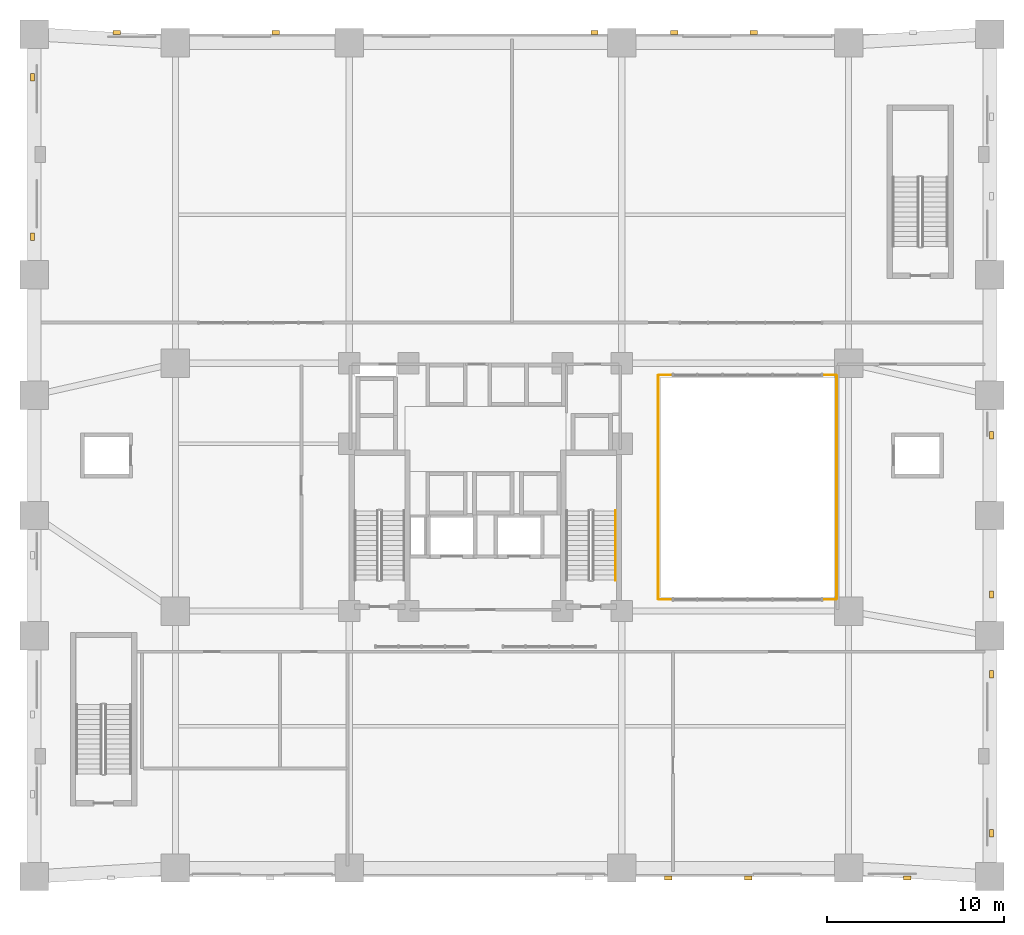
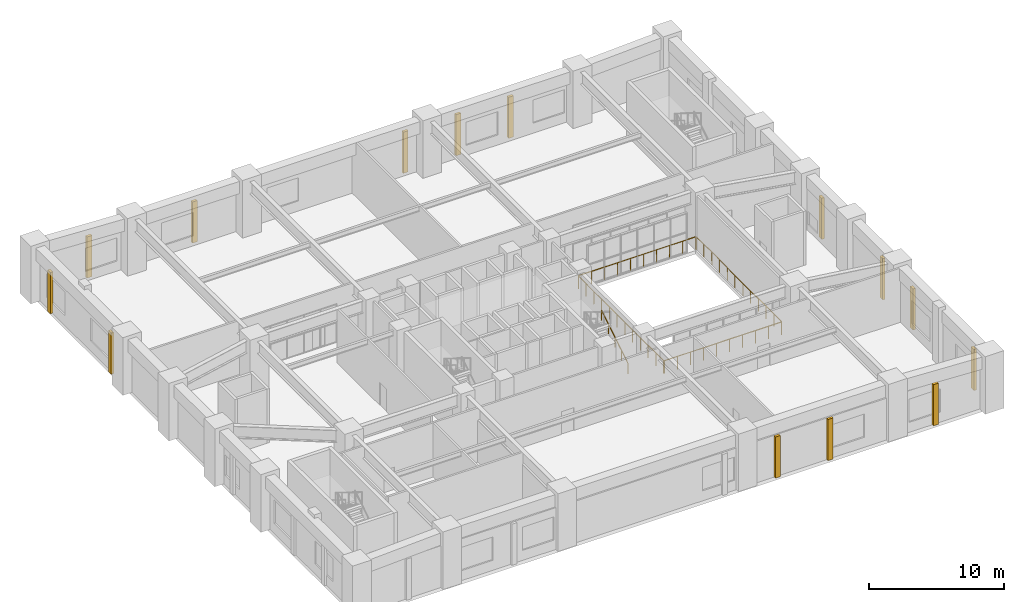
# One storey, part 13 of 14: 14 coverings, 5 railings.
"""IFC4 building model written with IfcOpenShell, lengths in metres."""

from ifc_helpers import new_model, si_unit, derived_unit, direction, frame, origin, origin_2d, place, context, subcontext, project, spatial, rectangle, circle, extrude, material, layer, layer_set, type_object, element, save


model = new_model("IFC4")

# Units and contexts
model_context = context("Model", 3, precision=1e-05, world=origin(), true_north=direction((0.0, 1.0)))
body_context = subcontext(model_context, "Body", "Model", "MODEL_VIEW")
ifc_project = project(units=[si_unit("LENGTHUNIT", "METRE"), si_unit("AREAUNIT", "SQUARE_METRE"), si_unit("VOLUMEUNIT", "CUBIC_METRE"), si_unit("PLANEANGLEUNIT", "RADIAN"), si_unit("MASSUNIT", "GRAM", prefix="KILO"), derived_unit("THERMALTRANSMITTANCEUNIT", [(si_unit("MASSUNIT", "GRAM", prefix="KILO"), 1), (si_unit("TIMEUNIT", "SECOND"), -3), (si_unit("THERMODYNAMICTEMPERATUREUNIT", "KELVIN"), -1)])], contexts=[model_context])

# Site, building, storey
site_placement = place(None, origin())
site = spatial("IfcSite", under=ifc_project, at=site_placement, CompositionType="ELEMENT")
building_placement = place(site_placement, origin())
building = spatial("IfcBuilding", under=site, at=building_placement, Name="Korrvale Station Residences", CompositionType="ELEMENT")
storey_placement = place(building_placement, frame((0.0, 0.0, 6.0)))
storey = spatial("IfcBuildingStorey", under=building, at=storey_placement, Name="L01", CompositionType="ELEMENT", Elevation=6.0)

# Coverings
ifc_material_1 = material(Name="Architectural precast concrete C45/55", Category="concrete")
ifc_layer = layer(ifc_material_1, 0.219970703125, Name="Architectural precast concrete C45/55")
ifc_layer_set = layer_set([ifc_layer], Name="Architectural precast concrete C45/55")
covering_type = type_object("IfcCoveringType", Name="COV-PIER-400", PredefinedType="CLADDING", material=ifc_layer_set)
for number, where, z_axis, x_axis, name in (
    (1, (49.340087890625, -0.090087890625, 0.02490234375), (0.0, 0.0, 1.0), (1.0, 0.0, 0.0), "L01 Architectural Precast Facade Pier 01"),
    (2, (40.340087890625, -0.090087890625, 0.02490234375), (0.0, 0.0, 1.0), (1.0, 0.0, 0.0), "L01 Architectural Precast Facade Pier 02"),
    (3, (35.840087890625, -0.090087890625, 0.02490234375), (0.0, 0.0, 1.0), (1.0, 0.0, 0.0), "L01 Architectural Precast Facade Pier 03"),
    (4, (4.659912109375, 47.68994140625, 0.02490234375), (0.0, 0.0, 1.0), (1.0, 0.0, 0.0), "L01 Architectural Precast Facade Pier 07"),
    (5, (13.659912109375, 47.68994140625, 0.02490234375), (0.0, 0.0, 1.0), (1.0, 0.0, 0.0), "L01 Architectural Precast Facade Pier 08"),
    (6, (31.659912109375, 47.68994140625, 0.02490234375), (0.0, 0.0, 1.0), (1.0, 0.0, 0.0), "L01 Architectural Precast Facade Pier 09"),
    (7, (36.159912109375, 47.68994140625, 0.02490234375), (0.0, 0.0, 1.0), (1.0, 0.0, 0.0), "L01 Architectural Precast Facade Pier 10"),
    (8, (40.659912109375, 47.68994140625, 0.02490234375), (0.0, 0.0, 1.0), (1.0, 0.0, 0.0), "L01 Architectural Precast Facade Pier 11"),
    (9, (-0.090087890625, 36.159912109375, 0.02490234375), (0.0, 0.0, 1.0), (0.0, 1.0, 0.0), "L01 Architectural Precast Facade Pier 16"),
    (10, (-0.090087890625, 45.159912109375, 0.02490234375), (0.0, 0.0, 1.0), (0.0, 1.0, 0.0), "L01 Architectural Precast Facade Pier 17"),
    (11, (54.090087890625, 24.93994140625, 0.02490234375), (0.0, 0.0, 1.0), (0.0, 1.0, 0.0), "L01 Architectural Precast Facade Pier 20"),
    (12, (54.090087890625, 15.93994140625, 0.02490234375), (0.0, 0.0, 1.0), (0.0, 1.0, 0.0), "L01 Architectural Precast Facade Pier 21"),
    (13, (54.090087890625, 11.43994140625, 0.02490234375), (0.0, 0.0, 1.0), (0.0, 1.0, 0.0), "L01 Architectural Precast Facade Pier 22"),
    (14, (54.090087890625, 2.43994140625, 0.02490234375), (0.0, 0.0, 1.0), (0.0, 1.0, 0.0), "L01 Architectural Precast Facade Pier 23"),
):
    element("IfcCovering", number, at=place(storey_placement, frame(where, z_axis=z_axis, x_axis=x_axis)), inside=storey, type_object=covering_type, Name=name, PredefinedType="CLADDING", context=body_context, shape_type="SweptSolid", body=[
        extrude(rectangle(XDim=0.419921875, YDim=0.219970703125, at=origin_2d()), origin(), (0.0, 0.0, 1.0), 3.715087890625),
    ])

# Railings
ifc_material_2 = material(Name="Laminated glass and brushed bronze interior atrium balustrade", Category="glass")
railing_type_1 = type_object("IfcRailingType", Name="RLG-ATR-1150", PredefinedType="BALUSTRADE", material=ifc_material_2)
for number, where, name in (
    (15, (35.300048828125, 15.659912109375, 0.0), "L01 Atrium Void Balustrade 1-S"),
    (16, (35.300048828125, 28.340087890625, 0.0), "L01 Atrium Void Balustrade 1-N"),
):
    element("IfcRailing", number, at=place(storey_placement, frame(where)), inside=storey, type_object=railing_type_1, Name=name, PredefinedType="BALUSTRADE", context=body_context, shape_type="SweptSolid", body=[
        extrude(circle(Radius=0.02392578125, at=origin_2d()), frame((0.0, 0.0, 1.1259765625), z_axis=(1.0, 0.0, 0.0), x_axis=(0.0, 1.0, 0.0)), (0.0, 0.0, 1.0), 10.0),
        extrude(circle(Radius=0.02099609375, at=origin_2d()), origin(), (0.0, 0.0, 1.0), 1.101806640625),
        extrude(circle(Radius=0.02099609375, at=origin_2d()), frame((1.111083984375, 0.0, 0.0)), (0.0, 0.0, 1.0), 1.101806640625),
        extrude(circle(Radius=0.02099609375, at=origin_2d()), frame((2.22216796875, 0.0, 0.0)), (0.0, 0.0, 1.0), 1.101806640625),
        extrude(circle(Radius=0.02099609375, at=origin_2d()), frame((3.333251953125, 0.0, 0.0)), (0.0, 0.0, 1.0), 1.101806640625),
        extrude(circle(Radius=0.02099609375, at=origin_2d()), frame((4.4443359375, 0.0, 0.0)), (0.0, 0.0, 1.0), 1.101806640625),
        extrude(circle(Radius=0.02099609375, at=origin_2d()), frame((5.5556640625, 0.0, 0.0)), (0.0, 0.0, 1.0), 1.101806640625),
        extrude(circle(Radius=0.02099609375, at=origin_2d()), frame((6.666748046875, 0.0, 0.0)), (0.0, 0.0, 1.0), 1.101806640625),
        extrude(circle(Radius=0.02099609375, at=origin_2d()), frame((7.77783203125, 0.0, 0.0)), (0.0, 0.0, 1.0), 1.101806640625),
        extrude(circle(Radius=0.02099609375, at=origin_2d()), frame((8.888916015625, 0.0, 0.0)), (0.0, 0.0, 1.0), 1.101806640625),
        extrude(circle(Radius=0.02099609375, at=origin_2d()), frame((10.0, 0.0, 0.0)), (0.0, 0.0, 1.0), 1.101806640625),
    ])
for number, where, name in (
    (17, (35.260009765625, 15.699951171875, 0.0), "L01 Atrium Void Balustrade 1-W"),
    (18, (45.340087890625, 15.699951171875, 0.0), "L01 Atrium Void Balustrade 1-E"),
):
    element("IfcRailing", number, at=place(storey_placement, frame(where)), inside=storey, type_object=railing_type_1, Name=name, PredefinedType="BALUSTRADE", context=body_context, shape_type="SweptSolid", body=[
        extrude(circle(Radius=0.02392578125, at=origin_2d()), frame((0.0, 0.0, 1.1259765625), z_axis=(0.0, 1.0, 0.0), x_axis=(-1.0, 0.0, 0.0)), (0.0, 0.0, 1.0), 12.60009765625),
        extrude(circle(Radius=0.02099609375, at=origin_2d()), origin(), (0.0, 0.0, 1.0), 1.101806640625),
        extrude(circle(Radius=0.02099609375, at=origin_2d()), frame((0.0, 1.1455078125, 0.0)), (0.0, 0.0, 1.0), 1.101806640625),
        extrude(circle(Radius=0.02099609375, at=origin_2d()), frame((0.0, 2.291015625, 0.0)), (0.0, 0.0, 1.0), 1.101806640625),
        extrude(circle(Radius=0.02099609375, at=origin_2d()), frame((0.0, 3.436279296875, 0.0)), (0.0, 0.0, 1.0), 1.101806640625),
        extrude(circle(Radius=0.02099609375, at=origin_2d()), frame((0.0, 4.581787109375, 0.0)), (0.0, 0.0, 1.0), 1.101806640625),
        extrude(circle(Radius=0.02099609375, at=origin_2d()), frame((0.0, 5.727294921875, 0.0)), (0.0, 0.0, 1.0), 1.101806640625),
        extrude(circle(Radius=0.02099609375, at=origin_2d()), frame((0.0, 6.872802734375, 0.0)), (0.0, 0.0, 1.0), 1.101806640625),
        extrude(circle(Radius=0.02099609375, at=origin_2d()), frame((0.0, 8.018310546875, 0.0)), (0.0, 0.0, 1.0), 1.101806640625),
        extrude(circle(Radius=0.02099609375, at=origin_2d()), frame((0.0, 9.163818359375, 0.0)), (0.0, 0.0, 1.0), 1.101806640625),
        extrude(circle(Radius=0.02099609375, at=origin_2d()), frame((0.0, 10.30908203125, 0.0)), (0.0, 0.0, 1.0), 1.101806640625),
        extrude(circle(Radius=0.02099609375, at=origin_2d()), frame((0.0, 11.45458984375, 0.0)), (0.0, 0.0, 1.0), 1.101806640625),
        extrude(circle(Radius=0.02099609375, at=origin_2d()), frame((0.0, 12.60009765625, 0.0)), (0.0, 0.0, 1.0), 1.101806640625),
    ])
ifc_material_3 = material(Name="Brushed stainless-steel continuous stair handrail", Category="steel")
railing_type_2 = type_object("IfcRailingType", Name="RLG-SHND-900", PredefinedType="HANDRAIL", material=ifc_material_3)
railing_placement = place(storey_placement, frame((32.85009765625, 16.75, 0.17333984375)))
element("IfcRailing", 19, at=railing_placement, inside=storey, type_object=railing_type_2, Name="L01 ST-2 stair handrail 1", PredefinedType="HANDRAIL", context=body_context, shape_type="SweptSolid", body=[
    extrude(circle(Radius=0.02392578125, at=origin_2d()), frame((0.0, 0.0, 0.8759765625), z_axis=(0.0, 0.850251603719, 0.526376491091), x_axis=(-1.0, 0.0, 0.0)), (0.0, 0.0, 1.0), 4.6103515625),
    extrude(circle(Radius=0.02099609375, at=origin_2d()), origin(), (0.0, 0.0, 1.0), 0.851806640625),
    extrude(circle(Radius=0.02099609375, at=origin_2d()), frame((0.0, 0.97998046875, 0.606689453125)), (0.0, 0.0, 1.0), 0.851806640625),
    extrude(circle(Radius=0.02099609375, at=origin_2d()), frame((0.0, 1.9599609375, 1.21337890625)), (0.0, 0.0, 1.0), 0.851806640625),
    extrude(circle(Radius=0.02099609375, at=origin_2d()), frame((0.0, 2.93994140625, 1.820068359375)), (0.0, 0.0, 1.0), 0.851806640625),
    extrude(circle(Radius=0.02099609375, at=origin_2d()), frame((0.0, 3.919921875, 2.4267578125)), (0.0, 0.0, 1.0), 0.851806640625),
])

save(model, "model.ifc")
